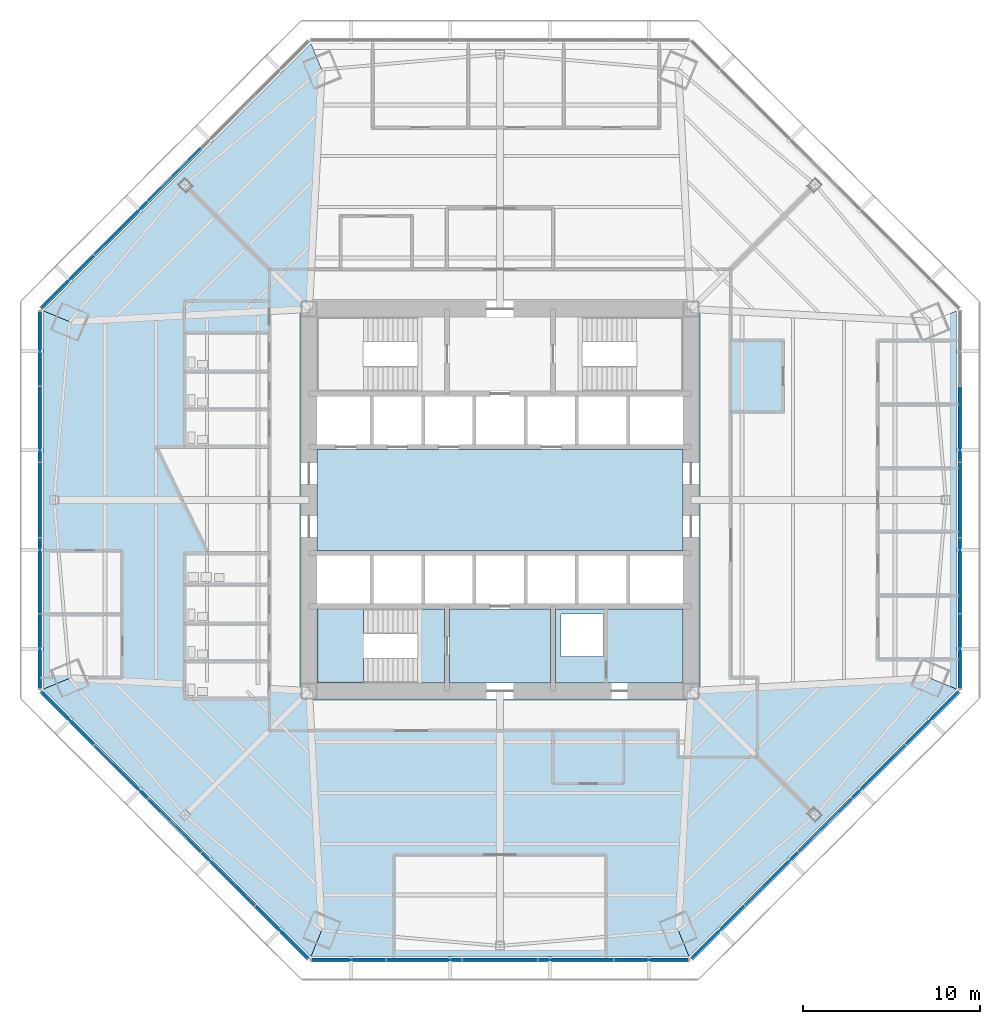
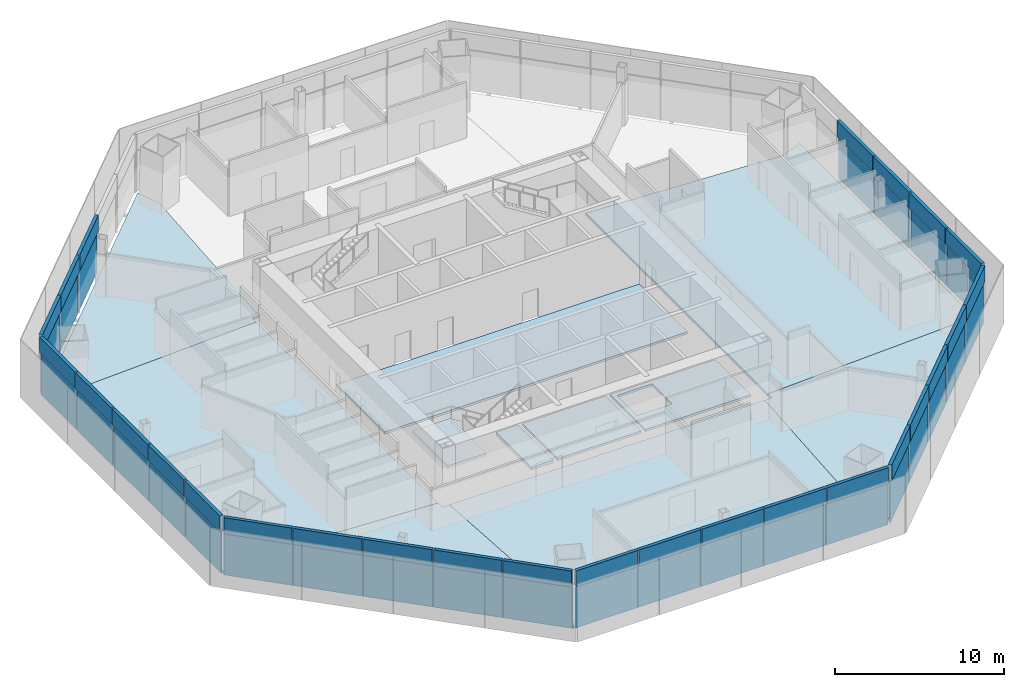
# One storey, part 7 of 15: 54 plates, 11 slabs, 7 elements without a shape of their own.
"""IFC4 building model written with IfcOpenShell, lengths in metres."""

from ifc_helpers import new_model, si_unit, direction, frame, origin, origin_2d, place, context, subcontext, project, spatial, polyline, rectangle, outline, extrude, source, transform, mapped, material, layer, layer_set, type_object, type_shapes, element, aggregate, save


model = new_model("IFC4")

# Units and contexts
model_context = context("Model", 3, precision=1e-05, world=origin(), true_north=direction((0.0, 1.0)))
body_context = subcontext(model_context, "Body", "Model", "MODEL_VIEW")
ifc_project = project(units=[si_unit("LENGTHUNIT", "METRE"), si_unit("AREAUNIT", "SQUARE_METRE"), si_unit("VOLUMEUNIT", "CUBIC_METRE"), si_unit("PLANEANGLEUNIT", "RADIAN"), si_unit("MASSUNIT", "GRAM", prefix="KILO")], contexts=[model_context])

# Site, building, storey
site_placement = place(None, origin())
site = spatial("IfcSite", under=ifc_project, at=site_placement, CompositionType="ELEMENT")
building_placement = place(site_placement, origin())
building = spatial("IfcBuilding", under=site, at=building_placement, Name="Mashrafa Tower", CompositionType="ELEMENT")
storey_placement = place(building_placement, frame((0.0, 0.0, 70.800048828125)))
storey = spatial("IfcBuildingStorey", under=building, at=storey_placement, Name="L15", CompositionType="ELEMENT", Elevation=70.800048828125)

# Slabs
ifc_material_1 = material(Name="Concrete C35/45", Category="concrete")
ifc_layer_1 = layer(ifc_material_1, 0.1650390625)
ifc_layer_set_1 = layer_set([ifc_layer_1], Name="Floor slab 165")
slab_type_1 = type_object("IfcSlabType", Name="Floor slab 165", PredefinedType="FLOOR", material=ifc_layer_set_1)
slab_1_placement = place(storey_placement, frame((0.0, 0.0, -0.1650390625)))
element("IfcSlab", 1, at=slab_1_placement, inside=storey, type_object=slab_type_1, Name="Floor slab L15 east bay", PredefinedType="FLOOR", context=body_context, shape_type="SweptSolid", body=[
    extrude(outline(polyline([(25.811767578125, 10.691650390625), (25.811767578125, -10.691650390625), (25.811767578125, -10.691650390625), (24.33837890625, -10.081298828125), (11.25, -10.776123046875), (11.25, 10.776123046875), (24.33837890625, 10.081298828125), (25.811767578125, 10.691650390625), (25.811767578125, 10.691650390625)])), origin(), (0.0, 0.0, 1.0), 0.1650390625),
])
slab_2_placement = place(storey_placement, frame((0.0, 0.0, -0.1650390625)))
element("IfcSlab", 2, at=slab_2_placement, inside=storey, type_object=slab_type_1, Name="Floor slab L15 north-west bay", PredefinedType="FLOOR", context=body_context, shape_type="SweptSolid", body=[
    extrude(outline(polyline([(-10.691650390625, 25.811767578125), (-10.081298828125, 24.33837890625), (-10.776123046875, 11.25), (-11.25, 11.25), (-11.25, 10.776123046875), (-24.33837890625, 10.081298828125), (-25.811767578125, 10.691650390625), (-10.691650390625, 25.811767578125)])), origin(), (0.0, 0.0, 1.0), 0.1650390625),
])
slab_3_placement = place(storey_placement, frame((0.0, 0.0, -0.1650390625)))
element("IfcSlab", 3, at=slab_3_placement, inside=storey, type_object=slab_type_1, Name="Floor slab L15 west bay", PredefinedType="FLOOR", context=body_context, shape_type="SweptSolid", body=[
    extrude(outline(polyline([(-25.811767578125, -10.691650390625), (-25.811767578125, 10.691650390625), (-25.811767578125, 10.691650390625), (-24.33837890625, 10.081298828125), (-11.25, 10.776123046875), (-11.25, -10.776123046875), (-24.33837890625, -10.081298828125), (-25.811767578125, -10.691650390625), (-25.811767578125, -10.691650390625)])), origin(), (0.0, 0.0, 1.0), 0.1650390625),
])
slab_4_placement = place(storey_placement, frame((0.0, 0.0, -0.1650390625)))
element("IfcSlab", 4, at=slab_4_placement, inside=storey, type_object=slab_type_1, Name="Floor slab L15 south-west bay", PredefinedType="FLOOR", context=body_context, shape_type="SweptSolid", body=[
    extrude(outline(polyline([(-25.811767578125, -10.691650390625), (-24.33837890625, -10.081298828125), (-11.25, -10.776123046875), (-11.25, -11.25), (-10.776123046875, -11.25), (-10.081298828125, -24.33837890625), (-10.691650390625, -25.811767578125), (-25.811767578125, -10.691650390625)])), origin(), (0.0, 0.0, 1.0), 0.1650390625),
])
slab_5_placement = place(storey_placement, frame((0.0, 0.0, -0.1650390625)))
element("IfcSlab", 5, at=slab_5_placement, inside=storey, type_object=slab_type_1, Name="Floor slab L15 south bay", PredefinedType="FLOOR", context=body_context, shape_type="SweptSolid", body=[
    extrude(outline(polyline([(-10.691650390625, -25.811767578125), (-10.691650390625, -25.811767578125), (-10.081298828125, -24.33837890625), (-10.776123046875, -11.25), (10.776123046875, -11.25), (10.081298828125, -24.33837890625), (10.691650390625, -25.811767578125), (10.691650390625, -25.811767578125), (-10.691650390625, -25.811767578125)])), origin(), (0.0, 0.0, 1.0), 0.1650390625),
])
slab_6_placement = place(storey_placement, frame((0.0, 0.0, -0.1650390625)))
element("IfcSlab", 6, at=slab_6_placement, inside=storey, type_object=slab_type_1, Name="Floor slab L15 south-east bay", PredefinedType="FLOOR", context=body_context, shape_type="SweptSolid", body=[
    extrude(outline(polyline([(10.691650390625, -25.811767578125), (10.081298828125, -24.33837890625), (10.776123046875, -11.25), (11.25, -11.25), (11.25, -10.776123046875), (24.33837890625, -10.081298828125), (25.811767578125, -10.691650390625), (10.691650390625, -25.811767578125)])), origin(), (0.0, 0.0, 1.0), 0.1650390625),
])
slab_7_placement = place(storey_placement, frame((0.0, 0.0, -0.1650390625)))
element("IfcSlab", 7, at=slab_7_placement, inside=storey, type_object=slab_type_1, Name="Core floor lift hall L15", PredefinedType="FLOOR", context=body_context, shape_type="SweptSolid", body=[
    extrude(outline(polyline([(-10.35009765625, 2.85009765625), (10.35009765625, 2.85009765625), (10.35009765625, -2.85009765625), (-10.35009765625, -2.85009765625), (-10.35009765625, 2.85009765625)])), origin(), (0.0, 0.0, 1.0), 0.1650390625),
])
slab_8_placement = place(storey_placement, frame((0.0, 0.0, -0.1650390625)))
element("IfcSlab", 8, at=slab_8_placement, inside=storey, type_object=slab_type_1, Name="Core floor riser and electrical band L15", PredefinedType="FLOOR", context=body_context, shape_type="SweptSolid", body=[
    extrude(outline(polyline([(10.35009765625, -6.14990234375), (10.35009765625, -10.35009765625), (3.14990234375, -10.35009765625), (3.14990234375, -6.14990234375), (10.35009765625, -6.14990234375)]), holes=[polyline([(3.449951171875, -8.85009765625), (5.85009765625, -8.85009765625), (5.85009765625, -6.449951171875), (3.449951171875, -6.449951171875), (3.449951171875, -8.85009765625)])]), origin(), (0.0, 0.0, 1.0), 0.1650390625),
])
slab_9_placement = place(storey_placement, frame((0.0, 0.0, -0.1650390625)))
element("IfcSlab", 9, at=slab_9_placement, inside=storey, type_object=slab_type_1, Name="Core floor fire-fighting lobby south L15", PredefinedType="FLOOR", context=body_context, shape_type="SweptSolid", body=[
    extrude(outline(polyline([(2.85009765625, -6.14990234375), (2.85009765625, -10.35009765625), (-2.85009765625, -10.35009765625), (-2.85009765625, -6.14990234375), (2.85009765625, -6.14990234375)])), origin(), (0.0, 0.0, 1.0), 0.1650390625),
])

# Stair, slabs
ifc_material_2 = material(Name="Exit stair 1400")
stair_type = type_object("IfcStairType", Name="Exit stair 1400", PredefinedType="HALF_TURN_STAIR", material=ifc_material_2)
stair_placement = place(storey_placement, origin())
stair = element("IfcStair", 10, at=stair_placement, inside=storey, type_object=stair_type, Name="Stair S3 L15", PredefinedType="HALF_TURN_STAIR")
ifc_material_3 = material(Name="Concrete C32/40", Category="concrete")
ifc_layer_2 = layer(ifc_material_3, 0.199951171875)
ifc_layer_set_2 = layer_set([ifc_layer_2], Name="Stair landing 200")
slab_type_2 = type_object("IfcSlabType", Name="Stair landing 200", PredefinedType="LANDING", material=ifc_layer_set_2)
slab_10_placement = place(storey_placement, frame((0.0, 0.0, -0.199951171875)))
slab_10 = element("IfcSlab", 11, at=slab_10_placement, type_object=slab_type_2, Name="S3 landing 1", PredefinedType="LANDING", context=body_context, shape_type="SweptSolid", body=[
    extrude(outline(polyline([(-4.659912109375, -10.35009765625), (-3.14990234375, -10.35009765625), (-3.14990234375, -6.14990234375), (-4.659912109375, -6.14990234375), (-4.659912109375, -10.35009765625)])), origin(), (0.0, 0.0, 1.0), 0.199951171875),
])
slab_11_placement = place(storey_placement, frame((0.0, 0.0, 1.89990234375)))
slab_11 = element("IfcSlab", 12, at=slab_11_placement, type_object=slab_type_2, Name="S3 landing 2", PredefinedType="LANDING", context=body_context, shape_type="SweptSolid", body=[
    extrude(outline(polyline([(-10.35009765625, -10.35009765625), (-7.719970703125, -10.35009765625), (-7.719970703125, -6.14990234375), (-10.35009765625, -6.14990234375), (-10.35009765625, -10.35009765625)])), origin(), (0.0, 0.0, 1.0), 0.199951171875),
])
aggregate(stair, [slab_10, slab_11])

# Curtain wall, plate
ifc_material_4 = material(Name="Unitised aluminium curtain wall", Category="aluminium")
curtain_wall_type = type_object("IfcCurtainWallType", Name="Office curtain wall, zone 1 CW-A 200 deep", PredefinedType="NOTDEFINED", material=ifc_material_4)
curtain_wall_1_placement = place(storey_placement, origin())
curtain_wall_1 = element("IfcCurtainWall", 13, at=curtain_wall_1_placement, inside=storey, type_object=curtain_wall_type, Name="Office curtain wall, zone 1 L15 east", PredefinedType="NOTDEFINED")
ifc_material_5 = material(Name="Insulated double glazing, low-e, neutral", Category="glass")
ifc_layer_3 = layer(ifc_material_5, 0.028076171875)
ifc_layer_set_3 = layer_set([ifc_layer_3], Name="Vision panel CW-A 28")
plate_type_1 = type_object("IfcPlateType", Name="Vision panel CW-A 28", PredefinedType="CURTAIN_PANEL", material=ifc_layer_set_3)
shared_shape_1 = source(origin(), body_context, "Body", "SweptSolid", [
    extrude(rectangle(XDim=4.191650390625, YDim=0.028076171875, at=origin_2d()), origin(), (0.0, 0.0, 1.0), 2.9599609375),
])
plate_1_placement = place(storey_placement, frame((26.011962890625, -8.562255859375, 0.0), z_axis=(0.0, 0.0, 1.0), x_axis=(0.0, 1.0, 0.0)))
plate_1 = element("IfcPlate", 14, at=plate_1_placement, type_object=plate_type_1, Name="CW-A vision panel 1", PredefinedType="CURTAIN_PANEL", context=body_context, shape_type="MappedRepresentation", body=[
    mapped(shared_shape_1, transform((0.0, 0.0, 0.0))),
])

curtain_wall_2_placement = place(storey_placement, origin())
curtain_wall_2 = element("IfcCurtainWall", 15, at=curtain_wall_2_placement, inside=storey, type_object=curtain_wall_type, Name="Office curtain wall, zone 1 L15 north-west", PredefinedType="NOTDEFINED")
plate_2_placement = place(storey_placement, frame((-24.447509765625, 12.3388671875, 0.0), z_axis=(0.0, 0.0, 1.0), x_axis=(-0.707106781187, -0.707106781187, 0.0)))
plate_2 = element("IfcPlate", 16, at=plate_2_placement, type_object=plate_type_1, Name="CW-A vision panel 5", PredefinedType="CURTAIN_PANEL", context=body_context, shape_type="MappedRepresentation", body=[
    mapped(shared_shape_1, transform((0.0, 0.0, 0.0))),
])

# Curtain wall, plates
curtain_wall_3_placement = place(storey_placement, origin())
curtain_wall_3 = element("IfcCurtainWall", 17, at=curtain_wall_3_placement, inside=storey, type_object=curtain_wall_type, Name="Office curtain wall, zone 1 L15 west", PredefinedType="NOTDEFINED")
plate_3_placement = place(storey_placement, frame((-26.011962890625, 8.562255859375, 0.0), z_axis=(0.0, 0.0, 1.0), x_axis=(0.0, -1.0, 0.0)))
plate_3 = element("IfcPlate", 18, at=plate_3_placement, type_object=plate_type_1, Name="CW-A vision panel 1", PredefinedType="CURTAIN_PANEL", context=body_context, shape_type="MappedRepresentation", body=[
    mapped(shared_shape_1, transform((0.0, 0.0, 0.0))),
])
plate_4_placement = place(storey_placement, frame((-26.011962890625, -8.562255859375, 0.0), z_axis=(0.0, 0.0, 1.0), x_axis=(0.0, -1.0, 0.0)))
plate_4 = element("IfcPlate", 19, at=plate_4_placement, type_object=plate_type_1, Name="CW-A vision panel 5", PredefinedType="CURTAIN_PANEL", context=body_context, shape_type="MappedRepresentation", body=[
    mapped(shared_shape_1, transform((0.0, 0.0, 0.0))),
])

curtain_wall_4_placement = place(storey_placement, origin())
curtain_wall_4 = element("IfcCurtainWall", 20, at=curtain_wall_4_placement, inside=storey, type_object=curtain_wall_type, Name="Office curtain wall, zone 1 L15 south-west", PredefinedType="NOTDEFINED")
plate_5_placement = place(storey_placement, frame((-24.447509765625, -12.3388671875, 0.0), z_axis=(0.0, 0.0, 1.0), x_axis=(0.707106781187, -0.707106781187, 0.0)))
plate_5 = element("IfcPlate", 21, at=plate_5_placement, type_object=plate_type_1, Name="CW-A vision panel 1", PredefinedType="CURTAIN_PANEL", context=body_context, shape_type="MappedRepresentation", body=[
    mapped(shared_shape_1, transform((0.0, 0.0, 0.0))),
])
plate_6_placement = place(storey_placement, frame((-12.3388671875, -24.447509765625, 0.0), z_axis=(0.0, 0.0, 1.0), x_axis=(0.707106781187, -0.707106781187, 0.0)))
plate_6 = element("IfcPlate", 22, at=plate_6_placement, type_object=plate_type_1, Name="CW-A vision panel 5", PredefinedType="CURTAIN_PANEL", context=body_context, shape_type="MappedRepresentation", body=[
    mapped(shared_shape_1, transform((0.0, 0.0, 0.0))),
])

curtain_wall_5_placement = place(storey_placement, origin())
curtain_wall_5 = element("IfcCurtainWall", 23, at=curtain_wall_5_placement, inside=storey, type_object=curtain_wall_type, Name="Office curtain wall, zone 1 L15 south", PredefinedType="NOTDEFINED")
plate_7_placement = place(storey_placement, frame((-8.562255859375, -26.011962890625, 0.0), z_axis=(0.0, 0.0, 1.0), x_axis=(1.0, 0.0, 0.0)))
plate_7 = element("IfcPlate", 24, at=plate_7_placement, type_object=plate_type_1, Name="CW-A vision panel 1", PredefinedType="CURTAIN_PANEL", context=body_context, shape_type="MappedRepresentation", body=[
    mapped(shared_shape_1, transform((0.0, 0.0, 0.0))),
])
plate_8_placement = place(storey_placement, frame((8.562255859375, -26.011962890625, 0.0), z_axis=(0.0, 0.0, 1.0), x_axis=(1.0, 0.0, 0.0)))
plate_8 = element("IfcPlate", 25, at=plate_8_placement, type_object=plate_type_1, Name="CW-A vision panel 5", PredefinedType="CURTAIN_PANEL", context=body_context, shape_type="MappedRepresentation", body=[
    mapped(shared_shape_1, transform((0.0, 0.0, 0.0))),
])

curtain_wall_6_placement = place(storey_placement, origin())
curtain_wall_6 = element("IfcCurtainWall", 26, at=curtain_wall_6_placement, inside=storey, type_object=curtain_wall_type, Name="Office curtain wall, zone 1 L15 south-east", PredefinedType="NOTDEFINED")
plate_9_placement = place(storey_placement, frame((12.3388671875, -24.447509765625, 0.0), z_axis=(0.0, 0.0, 1.0), x_axis=(0.707106781187, 0.707106781187, 0.0)))
plate_9 = element("IfcPlate", 27, at=plate_9_placement, type_object=plate_type_1, Name="CW-A vision panel 1", PredefinedType="CURTAIN_PANEL", context=body_context, shape_type="MappedRepresentation", body=[
    mapped(shared_shape_1, transform((0.0, 0.0, 0.0))),
])
plate_10_placement = place(storey_placement, frame((24.447509765625, -12.3388671875, 0.0), z_axis=(0.0, 0.0, 1.0), x_axis=(0.707106781187, 0.707106781187, 0.0)))
plate_10 = element("IfcPlate", 28, at=plate_10_placement, type_object=plate_type_1, Name="CW-A vision panel 5", PredefinedType="CURTAIN_PANEL", context=body_context, shape_type="MappedRepresentation", body=[
    mapped(shared_shape_1, transform((0.0, 0.0, 0.0))),
])

# Plate
ifc_material_6 = material(Name="Insulated aluminium spandrel panel", Category="aluminium")
ifc_layer_4 = layer(ifc_material_6, 0.219970703125)
ifc_layer_set_4 = layer_set([ifc_layer_4], Name="Spandrel panel CW-A 220")
plate_type_2 = type_object("IfcPlateType", Name="Spandrel panel CW-A 220", PredefinedType="CURTAIN_PANEL", material=ifc_layer_set_4)
shared_shape_2 = source(origin(), body_context, "Body", "SweptSolid", [
    extrude(rectangle(XDim=4.191650390625, YDim=0.219970703125, at=origin_2d()), origin(), (0.0, 0.0, 1.0), 1.159912109375),
])
plate_11_placement = place(storey_placement, frame((26.011962890625, -8.562255859375, 3.0400390625), z_axis=(0.0, 0.0, 1.0), x_axis=(0.0, 1.0, 0.0)))
plate_11 = element("IfcPlate", 29, at=plate_11_placement, type_object=plate_type_2, Name="CW-A spandrel panel 1", PredefinedType="CURTAIN_PANEL", context=body_context, shape_type="MappedRepresentation", body=[
    mapped(shared_shape_2, transform((0.0, 0.0, 0.0))),
])

plate_12_placement = place(storey_placement, frame((-24.447509765625, 12.3388671875, 3.0400390625), z_axis=(0.0, 0.0, 1.0), x_axis=(-0.707106781187, -0.707106781187, 0.0)))
plate_12 = element("IfcPlate", 30, at=plate_12_placement, type_object=plate_type_2, Name="CW-A spandrel panel 5", PredefinedType="CURTAIN_PANEL", context=body_context, shape_type="MappedRepresentation", body=[
    mapped(shared_shape_2, transform((0.0, 0.0, 0.0))),
])

plate_13_placement = place(storey_placement, frame((-26.011962890625, 8.562255859375, 3.0400390625), z_axis=(0.0, 0.0, 1.0), x_axis=(0.0, -1.0, 0.0)))
plate_13 = element("IfcPlate", 31, at=plate_13_placement, type_object=plate_type_2, Name="CW-A spandrel panel 1", PredefinedType="CURTAIN_PANEL", context=body_context, shape_type="MappedRepresentation", body=[
    mapped(shared_shape_2, transform((0.0, 0.0, 0.0))),
])

plate_14_placement = place(storey_placement, frame((-26.011962890625, -8.562255859375, 3.0400390625), z_axis=(0.0, 0.0, 1.0), x_axis=(0.0, -1.0, 0.0)))
plate_14 = element("IfcPlate", 32, at=plate_14_placement, type_object=plate_type_2, Name="CW-A spandrel panel 5", PredefinedType="CURTAIN_PANEL", context=body_context, shape_type="MappedRepresentation", body=[
    mapped(shared_shape_2, transform((0.0, 0.0, 0.0))),
])

plate_15_placement = place(storey_placement, frame((-24.447509765625, -12.3388671875, 3.0400390625), z_axis=(0.0, 0.0, 1.0), x_axis=(0.707106781187, -0.707106781187, 0.0)))
plate_15 = element("IfcPlate", 33, at=plate_15_placement, type_object=plate_type_2, Name="CW-A spandrel panel 1", PredefinedType="CURTAIN_PANEL", context=body_context, shape_type="MappedRepresentation", body=[
    mapped(shared_shape_2, transform((0.0, 0.0, 0.0))),
])

plate_16_placement = place(storey_placement, frame((-12.3388671875, -24.447509765625, 3.0400390625), z_axis=(0.0, 0.0, 1.0), x_axis=(0.707106781187, -0.707106781187, 0.0)))
plate_16 = element("IfcPlate", 34, at=plate_16_placement, type_object=plate_type_2, Name="CW-A spandrel panel 5", PredefinedType="CURTAIN_PANEL", context=body_context, shape_type="MappedRepresentation", body=[
    mapped(shared_shape_2, transform((0.0, 0.0, 0.0))),
])

plate_17_placement = place(storey_placement, frame((-8.562255859375, -26.011962890625, 3.0400390625), z_axis=(0.0, 0.0, 1.0), x_axis=(1.0, 0.0, 0.0)))
plate_17 = element("IfcPlate", 35, at=plate_17_placement, type_object=plate_type_2, Name="CW-A spandrel panel 1", PredefinedType="CURTAIN_PANEL", context=body_context, shape_type="MappedRepresentation", body=[
    mapped(shared_shape_2, transform((0.0, 0.0, 0.0))),
])

plate_18_placement = place(storey_placement, frame((8.562255859375, -26.011962890625, 3.0400390625), z_axis=(0.0, 0.0, 1.0), x_axis=(1.0, 0.0, 0.0)))
plate_18 = element("IfcPlate", 36, at=plate_18_placement, type_object=plate_type_2, Name="CW-A spandrel panel 5", PredefinedType="CURTAIN_PANEL", context=body_context, shape_type="MappedRepresentation", body=[
    mapped(shared_shape_2, transform((0.0, 0.0, 0.0))),
])

plate_19_placement = place(storey_placement, frame((12.3388671875, -24.447509765625, 3.0400390625), z_axis=(0.0, 0.0, 1.0), x_axis=(0.707106781187, 0.707106781187, 0.0)))
plate_19 = element("IfcPlate", 37, at=plate_19_placement, type_object=plate_type_2, Name="CW-A spandrel panel 1", PredefinedType="CURTAIN_PANEL", context=body_context, shape_type="MappedRepresentation", body=[
    mapped(shared_shape_2, transform((0.0, 0.0, 0.0))),
])

plate_20_placement = place(storey_placement, frame((24.447509765625, -12.3388671875, 3.0400390625), z_axis=(0.0, 0.0, 1.0), x_axis=(0.707106781187, 0.707106781187, 0.0)))
plate_20 = element("IfcPlate", 38, at=plate_20_placement, type_object=plate_type_2, Name="CW-A spandrel panel 5", PredefinedType="CURTAIN_PANEL", context=body_context, shape_type="MappedRepresentation", body=[
    mapped(shared_shape_2, transform((0.0, 0.0, 0.0))),
])

shared_shape_3 = source(origin(), body_context, "Body", "SweptSolid", [
    extrude(rectangle(XDim=4.22412109375, YDim=0.028076171875, at=origin_2d()), origin(), (0.0, 0.0, 1.0), 2.9599609375),
])
type_shapes(plate_type_1, [shared_shape_1, shared_shape_3])
plate_21_placement = place(storey_placement, frame((26.011962890625, -4.289306640625, 0.0), z_axis=(0.0, 0.0, 1.0), x_axis=(0.0, 1.0, 0.0)))
plate_21 = element("IfcPlate", 39, at=plate_21_placement, type_object=plate_type_1, Name="CW-A vision panel 2", PredefinedType="CURTAIN_PANEL", context=body_context, shape_type="MappedRepresentation", body=[
    mapped(shared_shape_3, transform((0.0, 0.0, 0.0))),
])

plate_22_placement = place(storey_placement, frame((26.011962890625, 0.0, 0.0), z_axis=(0.0, 0.0, 1.0), x_axis=(0.0, 1.0, 0.0)))
plate_22 = element("IfcPlate", 40, at=plate_22_placement, type_object=plate_type_1, Name="CW-A vision panel 3", PredefinedType="CURTAIN_PANEL", context=body_context, shape_type="MappedRepresentation", body=[
    mapped(shared_shape_3, transform((0.0, 0.0, 0.0))),
])

plate_23_placement = place(storey_placement, frame((26.011962890625, 4.289306640625, 0.0), z_axis=(0.0, 0.0, 1.0), x_axis=(0.0, 1.0, 0.0)))
plate_23 = element("IfcPlate", 41, at=plate_23_placement, type_object=plate_type_1, Name="CW-A vision panel 4", PredefinedType="CURTAIN_PANEL", context=body_context, shape_type="MappedRepresentation", body=[
    mapped(shared_shape_3, transform((0.0, 0.0, 0.0))),
])

plate_24_placement = place(storey_placement, frame((-18.39306640625, 18.39306640625, 0.0), z_axis=(0.0, 0.0, 1.0), x_axis=(-0.707106781187, -0.707106781187, 0.0)))
plate_24 = element("IfcPlate", 42, at=plate_24_placement, type_object=plate_type_1, Name="CW-A vision panel 3", PredefinedType="CURTAIN_PANEL", context=body_context, shape_type="MappedRepresentation", body=[
    mapped(shared_shape_3, transform((0.0, 0.0, 0.0))),
])

plate_25_placement = place(storey_placement, frame((-21.426025390625, 15.3603515625, 0.0), z_axis=(0.0, 0.0, 1.0), x_axis=(-0.707106781187, -0.707106781187, 0.0)))
plate_25 = element("IfcPlate", 43, at=plate_25_placement, type_object=plate_type_1, Name="CW-A vision panel 4", PredefinedType="CURTAIN_PANEL", context=body_context, shape_type="MappedRepresentation", body=[
    mapped(shared_shape_3, transform((0.0, 0.0, 0.0))),
])

plate_26_placement = place(storey_placement, frame((-26.011962890625, 4.289306640625, 0.0), z_axis=(0.0, 0.0, 1.0), x_axis=(0.0, -1.0, 0.0)))
plate_26 = element("IfcPlate", 44, at=plate_26_placement, type_object=plate_type_1, Name="CW-A vision panel 2", PredefinedType="CURTAIN_PANEL", context=body_context, shape_type="MappedRepresentation", body=[
    mapped(shared_shape_3, transform((0.0, 0.0, 0.0))),
])

plate_27_placement = place(storey_placement, frame((-26.011962890625, 0.0, 0.0), z_axis=(0.0, 0.0, 1.0), x_axis=(0.0, -1.0, 0.0)))
plate_27 = element("IfcPlate", 45, at=plate_27_placement, type_object=plate_type_1, Name="CW-A vision panel 3", PredefinedType="CURTAIN_PANEL", context=body_context, shape_type="MappedRepresentation", body=[
    mapped(shared_shape_3, transform((0.0, 0.0, 0.0))),
])

plate_28_placement = place(storey_placement, frame((-26.011962890625, -4.289306640625, 0.0), z_axis=(0.0, 0.0, 1.0), x_axis=(0.0, -1.0, 0.0)))
plate_28 = element("IfcPlate", 46, at=plate_28_placement, type_object=plate_type_1, Name="CW-A vision panel 4", PredefinedType="CURTAIN_PANEL", context=body_context, shape_type="MappedRepresentation", body=[
    mapped(shared_shape_3, transform((0.0, 0.0, 0.0))),
])

plate_29_placement = place(storey_placement, frame((-21.426025390625, -15.3603515625, 0.0), z_axis=(0.0, 0.0, 1.0), x_axis=(0.707106781187, -0.707106781187, 0.0)))
plate_29 = element("IfcPlate", 47, at=plate_29_placement, type_object=plate_type_1, Name="CW-A vision panel 2", PredefinedType="CURTAIN_PANEL", context=body_context, shape_type="MappedRepresentation", body=[
    mapped(shared_shape_3, transform((0.0, 0.0, 0.0))),
])

plate_30_placement = place(storey_placement, frame((-18.39306640625, -18.39306640625, 0.0), z_axis=(0.0, 0.0, 1.0), x_axis=(0.707106781187, -0.707106781187, 0.0)))
plate_30 = element("IfcPlate", 48, at=plate_30_placement, type_object=plate_type_1, Name="CW-A vision panel 3", PredefinedType="CURTAIN_PANEL", context=body_context, shape_type="MappedRepresentation", body=[
    mapped(shared_shape_3, transform((0.0, 0.0, 0.0))),
])

plate_31_placement = place(storey_placement, frame((-15.3603515625, -21.426025390625, 0.0), z_axis=(0.0, 0.0, 1.0), x_axis=(0.707106781187, -0.707106781187, 0.0)))
plate_31 = element("IfcPlate", 49, at=plate_31_placement, type_object=plate_type_1, Name="CW-A vision panel 4", PredefinedType="CURTAIN_PANEL", context=body_context, shape_type="MappedRepresentation", body=[
    mapped(shared_shape_3, transform((0.0, 0.0, 0.0))),
])

plate_32_placement = place(storey_placement, frame((-4.289306640625, -26.011962890625, 0.0), z_axis=(0.0, 0.0, 1.0), x_axis=(1.0, 0.0, 0.0)))
plate_32 = element("IfcPlate", 50, at=plate_32_placement, type_object=plate_type_1, Name="CW-A vision panel 2", PredefinedType="CURTAIN_PANEL", context=body_context, shape_type="MappedRepresentation", body=[
    mapped(shared_shape_3, transform((0.0, 0.0, 0.0))),
])

plate_33_placement = place(storey_placement, frame((0.0, -26.011962890625, 0.0), z_axis=(0.0, 0.0, 1.0), x_axis=(1.0, 0.0, 0.0)))
plate_33 = element("IfcPlate", 51, at=plate_33_placement, type_object=plate_type_1, Name="CW-A vision panel 3", PredefinedType="CURTAIN_PANEL", context=body_context, shape_type="MappedRepresentation", body=[
    mapped(shared_shape_3, transform((0.0, 0.0, 0.0))),
])

plate_34_placement = place(storey_placement, frame((4.289306640625, -26.011962890625, 0.0), z_axis=(0.0, 0.0, 1.0), x_axis=(1.0, 0.0, 0.0)))
plate_34 = element("IfcPlate", 52, at=plate_34_placement, type_object=plate_type_1, Name="CW-A vision panel 4", PredefinedType="CURTAIN_PANEL", context=body_context, shape_type="MappedRepresentation", body=[
    mapped(shared_shape_3, transform((0.0, 0.0, 0.0))),
])

plate_35_placement = place(storey_placement, frame((15.3603515625, -21.426025390625, 0.0), z_axis=(0.0, 0.0, 1.0), x_axis=(0.707106781187, 0.707106781187, 0.0)))
plate_35 = element("IfcPlate", 53, at=plate_35_placement, type_object=plate_type_1, Name="CW-A vision panel 2", PredefinedType="CURTAIN_PANEL", context=body_context, shape_type="MappedRepresentation", body=[
    mapped(shared_shape_3, transform((0.0, 0.0, 0.0))),
])

plate_36_placement = place(storey_placement, frame((18.39306640625, -18.39306640625, 0.0), z_axis=(0.0, 0.0, 1.0), x_axis=(0.707106781187, 0.707106781187, 0.0)))
plate_36 = element("IfcPlate", 54, at=plate_36_placement, type_object=plate_type_1, Name="CW-A vision panel 3", PredefinedType="CURTAIN_PANEL", context=body_context, shape_type="MappedRepresentation", body=[
    mapped(shared_shape_3, transform((0.0, 0.0, 0.0))),
])

plate_37_placement = place(storey_placement, frame((21.426025390625, -15.3603515625, 0.0), z_axis=(0.0, 0.0, 1.0), x_axis=(0.707106781187, 0.707106781187, 0.0)))
plate_37 = element("IfcPlate", 55, at=plate_37_placement, type_object=plate_type_1, Name="CW-A vision panel 4", PredefinedType="CURTAIN_PANEL", context=body_context, shape_type="MappedRepresentation", body=[
    mapped(shared_shape_3, transform((0.0, 0.0, 0.0))),
])

shared_shape_4 = source(origin(), body_context, "Body", "SweptSolid", [
    extrude(rectangle(XDim=4.22412109375, YDim=0.219970703125, at=origin_2d()), origin(), (0.0, 0.0, 1.0), 1.159912109375),
])
type_shapes(plate_type_2, [shared_shape_2, shared_shape_4])
plate_38_placement = place(storey_placement, frame((26.011962890625, -4.289306640625, 3.0400390625), z_axis=(0.0, 0.0, 1.0), x_axis=(0.0, 1.0, 0.0)))
plate_38 = element("IfcPlate", 56, at=plate_38_placement, type_object=plate_type_2, Name="CW-A spandrel panel 2", PredefinedType="CURTAIN_PANEL", context=body_context, shape_type="MappedRepresentation", body=[
    mapped(shared_shape_4, transform((0.0, 0.0, 0.0))),
])

plate_39_placement = place(storey_placement, frame((26.011962890625, 0.0, 3.0400390625), z_axis=(0.0, 0.0, 1.0), x_axis=(0.0, 1.0, 0.0)))
plate_39 = element("IfcPlate", 57, at=plate_39_placement, type_object=plate_type_2, Name="CW-A spandrel panel 3", PredefinedType="CURTAIN_PANEL", context=body_context, shape_type="MappedRepresentation", body=[
    mapped(shared_shape_4, transform((0.0, 0.0, 0.0))),
])

plate_40_placement = place(storey_placement, frame((26.011962890625, 4.289306640625, 3.0400390625), z_axis=(0.0, 0.0, 1.0), x_axis=(0.0, 1.0, 0.0)))
plate_40 = element("IfcPlate", 58, at=plate_40_placement, type_object=plate_type_2, Name="CW-A spandrel panel 4", PredefinedType="CURTAIN_PANEL", context=body_context, shape_type="MappedRepresentation", body=[
    mapped(shared_shape_4, transform((0.0, 0.0, 0.0))),
])

aggregate(curtain_wall_1, [plate_1, plate_11, plate_21, plate_38, plate_22, plate_39, plate_23, plate_40])

plate_41_placement = place(storey_placement, frame((-18.39306640625, 18.39306640625, 3.0400390625), z_axis=(0.0, 0.0, 1.0), x_axis=(-0.707106781187, -0.707106781187, 0.0)))
plate_41 = element("IfcPlate", 59, at=plate_41_placement, type_object=plate_type_2, Name="CW-A spandrel panel 3", PredefinedType="CURTAIN_PANEL", context=body_context, shape_type="MappedRepresentation", body=[
    mapped(shared_shape_4, transform((0.0, 0.0, 0.0))),
])

plate_42_placement = place(storey_placement, frame((-21.426025390625, 15.3603515625, 3.0400390625), z_axis=(0.0, 0.0, 1.0), x_axis=(-0.707106781187, -0.707106781187, 0.0)))
plate_42 = element("IfcPlate", 60, at=plate_42_placement, type_object=plate_type_2, Name="CW-A spandrel panel 4", PredefinedType="CURTAIN_PANEL", context=body_context, shape_type="MappedRepresentation", body=[
    mapped(shared_shape_4, transform((0.0, 0.0, 0.0))),
])

aggregate(curtain_wall_2, [plate_24, plate_41, plate_25, plate_42, plate_2, plate_12])

plate_43_placement = place(storey_placement, frame((-26.011962890625, 4.289306640625, 3.0400390625), z_axis=(0.0, 0.0, 1.0), x_axis=(0.0, -1.0, 0.0)))
plate_43 = element("IfcPlate", 61, at=plate_43_placement, type_object=plate_type_2, Name="CW-A spandrel panel 2", PredefinedType="CURTAIN_PANEL", context=body_context, shape_type="MappedRepresentation", body=[
    mapped(shared_shape_4, transform((0.0, 0.0, 0.0))),
])

plate_44_placement = place(storey_placement, frame((-26.011962890625, 0.0, 3.0400390625), z_axis=(0.0, 0.0, 1.0), x_axis=(0.0, -1.0, 0.0)))
plate_44 = element("IfcPlate", 62, at=plate_44_placement, type_object=plate_type_2, Name="CW-A spandrel panel 3", PredefinedType="CURTAIN_PANEL", context=body_context, shape_type="MappedRepresentation", body=[
    mapped(shared_shape_4, transform((0.0, 0.0, 0.0))),
])

plate_45_placement = place(storey_placement, frame((-26.011962890625, -4.289306640625, 3.0400390625), z_axis=(0.0, 0.0, 1.0), x_axis=(0.0, -1.0, 0.0)))
plate_45 = element("IfcPlate", 63, at=plate_45_placement, type_object=plate_type_2, Name="CW-A spandrel panel 4", PredefinedType="CURTAIN_PANEL", context=body_context, shape_type="MappedRepresentation", body=[
    mapped(shared_shape_4, transform((0.0, 0.0, 0.0))),
])

aggregate(curtain_wall_3, [plate_3, plate_13, plate_26, plate_43, plate_27, plate_44, plate_28, plate_45, plate_4, plate_14])

plate_46_placement = place(storey_placement, frame((-21.426025390625, -15.3603515625, 3.0400390625), z_axis=(0.0, 0.0, 1.0), x_axis=(0.707106781187, -0.707106781187, 0.0)))
plate_46 = element("IfcPlate", 64, at=plate_46_placement, type_object=plate_type_2, Name="CW-A spandrel panel 2", PredefinedType="CURTAIN_PANEL", context=body_context, shape_type="MappedRepresentation", body=[
    mapped(shared_shape_4, transform((0.0, 0.0, 0.0))),
])

plate_47_placement = place(storey_placement, frame((-18.39306640625, -18.39306640625, 3.0400390625), z_axis=(0.0, 0.0, 1.0), x_axis=(0.707106781187, -0.707106781187, 0.0)))
plate_47 = element("IfcPlate", 65, at=plate_47_placement, type_object=plate_type_2, Name="CW-A spandrel panel 3", PredefinedType="CURTAIN_PANEL", context=body_context, shape_type="MappedRepresentation", body=[
    mapped(shared_shape_4, transform((0.0, 0.0, 0.0))),
])

plate_48_placement = place(storey_placement, frame((-15.3603515625, -21.426025390625, 3.0400390625), z_axis=(0.0, 0.0, 1.0), x_axis=(0.707106781187, -0.707106781187, 0.0)))
plate_48 = element("IfcPlate", 66, at=plate_48_placement, type_object=plate_type_2, Name="CW-A spandrel panel 4", PredefinedType="CURTAIN_PANEL", context=body_context, shape_type="MappedRepresentation", body=[
    mapped(shared_shape_4, transform((0.0, 0.0, 0.0))),
])

aggregate(curtain_wall_4, [plate_5, plate_15, plate_29, plate_46, plate_30, plate_47, plate_31, plate_48, plate_6, plate_16])

plate_49_placement = place(storey_placement, frame((-4.289306640625, -26.011962890625, 3.0400390625), z_axis=(0.0, 0.0, 1.0), x_axis=(1.0, 0.0, 0.0)))
plate_49 = element("IfcPlate", 67, at=plate_49_placement, type_object=plate_type_2, Name="CW-A spandrel panel 2", PredefinedType="CURTAIN_PANEL", context=body_context, shape_type="MappedRepresentation", body=[
    mapped(shared_shape_4, transform((0.0, 0.0, 0.0))),
])

plate_50_placement = place(storey_placement, frame((0.0, -26.011962890625, 3.0400390625), z_axis=(0.0, 0.0, 1.0), x_axis=(1.0, 0.0, 0.0)))
plate_50 = element("IfcPlate", 68, at=plate_50_placement, type_object=plate_type_2, Name="CW-A spandrel panel 3", PredefinedType="CURTAIN_PANEL", context=body_context, shape_type="MappedRepresentation", body=[
    mapped(shared_shape_4, transform((0.0, 0.0, 0.0))),
])

plate_51_placement = place(storey_placement, frame((4.289306640625, -26.011962890625, 3.0400390625), z_axis=(0.0, 0.0, 1.0), x_axis=(1.0, 0.0, 0.0)))
plate_51 = element("IfcPlate", 69, at=plate_51_placement, type_object=plate_type_2, Name="CW-A spandrel panel 4", PredefinedType="CURTAIN_PANEL", context=body_context, shape_type="MappedRepresentation", body=[
    mapped(shared_shape_4, transform((0.0, 0.0, 0.0))),
])

aggregate(curtain_wall_5, [plate_7, plate_17, plate_32, plate_49, plate_33, plate_50, plate_34, plate_51, plate_8, plate_18])

plate_52_placement = place(storey_placement, frame((15.3603515625, -21.426025390625, 3.0400390625), z_axis=(0.0, 0.0, 1.0), x_axis=(0.707106781187, 0.707106781187, 0.0)))
plate_52 = element("IfcPlate", 70, at=plate_52_placement, type_object=plate_type_2, Name="CW-A spandrel panel 2", PredefinedType="CURTAIN_PANEL", context=body_context, shape_type="MappedRepresentation", body=[
    mapped(shared_shape_4, transform((0.0, 0.0, 0.0))),
])

plate_53_placement = place(storey_placement, frame((18.39306640625, -18.39306640625, 3.0400390625), z_axis=(0.0, 0.0, 1.0), x_axis=(0.707106781187, 0.707106781187, 0.0)))
plate_53 = element("IfcPlate", 71, at=plate_53_placement, type_object=plate_type_2, Name="CW-A spandrel panel 3", PredefinedType="CURTAIN_PANEL", context=body_context, shape_type="MappedRepresentation", body=[
    mapped(shared_shape_4, transform((0.0, 0.0, 0.0))),
])

plate_54_placement = place(storey_placement, frame((21.426025390625, -15.3603515625, 3.0400390625), z_axis=(0.0, 0.0, 1.0), x_axis=(0.707106781187, 0.707106781187, 0.0)))
plate_54 = element("IfcPlate", 72, at=plate_54_placement, type_object=plate_type_2, Name="CW-A spandrel panel 4", PredefinedType="CURTAIN_PANEL", context=body_context, shape_type="MappedRepresentation", body=[
    mapped(shared_shape_4, transform((0.0, 0.0, 0.0))),
])

aggregate(curtain_wall_6, [plate_9, plate_19, plate_35, plate_52, plate_36, plate_53, plate_37, plate_54, plate_10, plate_20])

save(model, "model.ifc")
